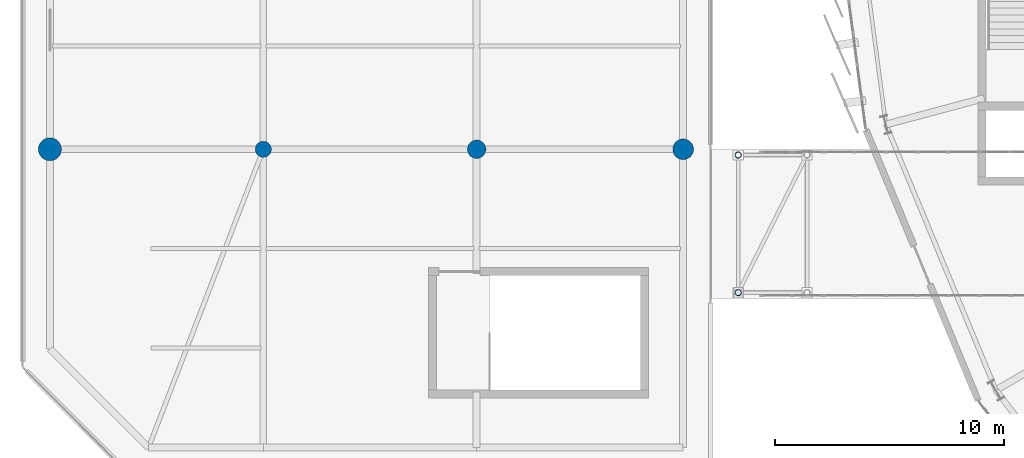
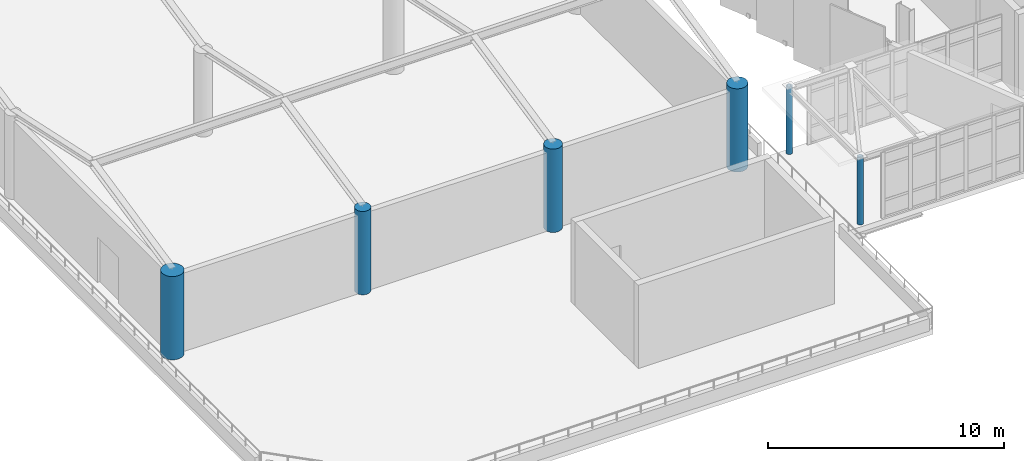
# One storey, part 2 of 120: 6 columns.
"""IFC4 building model written with IfcOpenShell, lengths in metres."""

from ifc_helpers import new_model, si_unit, direction, frame, origin, origin_2d, place, context, subcontext, project, spatial, circle, hollow_circle, extrude, material, material_profile, profile_set, type_object, element, save


model = new_model("IFC4")

# Units and contexts
model_context = context("Model", 3, precision=1e-05, world=origin(), true_north=direction((0.0, 1.0)))
body_context = subcontext(model_context, "Body", "Model", "MODEL_VIEW")
ifc_project = project(units=[si_unit("LENGTHUNIT", "METRE"), si_unit("AREAUNIT", "SQUARE_METRE"), si_unit("VOLUMEUNIT", "CUBIC_METRE"), si_unit("PLANEANGLEUNIT", "RADIAN"), si_unit("MASSUNIT", "GRAM", prefix="KILO")], contexts=[model_context])

# Site, building, storey
site_placement = place(None, origin())
site = spatial("IfcSite", under=ifc_project, at=site_placement, CompositionType="ELEMENT")
building_placement = place(site_placement, origin())
building = spatial("IfcBuilding", under=site, at=building_placement, Name="Sohan Crest Arena", CompositionType="ELEMENT")
storey_placement = place(building_placement, frame((0.0, 0.0, 13.5)))
storey = spatial("IfcBuildingStorey", under=building, at=storey_placement, Name="L03", CompositionType="ELEMENT", Elevation=13.5)

# Columns
ifc_material_1 = material(Name="Concrete C40/50", Category="concrete")
ifc_material_profile_1 = material_profile(ifc_material_1, circle(Radius=0.35009765625, at=origin_2d()), Name="RC D700")
ifc_profile_set_1 = profile_set([ifc_material_profile_1], Name="Concrete C40/50")
column_type_1 = type_object("IfcColumnType", Name="STR-COL-C13", PredefinedType="COLUMN", material=ifc_profile_set_1)
column_1_placement = place(storey_placement, frame((24.5, 64.5, 0.0), z_axis=(0.0, 0.0, 1.0), x_axis=(1.0, 0.0, 0.0)))
element("IfcColumn", 1, at=column_1_placement, inside=storey, type_object=column_type_1, Name="Structural column COL-V3C-22-L03", PredefinedType="COLUMN", context=body_context, shape_type="SweptSolid", body=[
    extrude(circle(Radius=0.35009765625, at=origin_2d()), origin(), (0.0, 0.0, 1.0), 4.304931640625),
])
ifc_material_profile_2 = material_profile(ifc_material_1, circle(Radius=0.39990234375, at=origin_2d()), Name="RC D800")
ifc_profile_set_2 = profile_set([ifc_material_profile_2], Name="Concrete C40/50")
column_type_2 = type_object("IfcColumnType", Name="STR-COL-C14", PredefinedType="COLUMN", material=ifc_profile_set_2)
column_2_placement = place(storey_placement, frame((33.800048828125, 64.5, 0.0), z_axis=(0.0, 0.0, 1.0), x_axis=(1.0, 0.0, 0.0)))
element("IfcColumn", 2, at=column_2_placement, inside=storey, type_object=column_type_2, Name="Structural column COL-V3C-32-L03", PredefinedType="COLUMN", context=body_context, shape_type="SweptSolid", body=[
    extrude(circle(Radius=0.39990234375, at=origin_2d()), origin(), (0.0, 0.0, 1.0), 4.304931640625),
])
ifc_material_profile_3 = material_profile(ifc_material_1, circle(Radius=0.449951171875, at=origin_2d()), Name="RC D900")
ifc_profile_set_3 = profile_set([ifc_material_profile_3], Name="Concrete C40/50")
column_type_3 = type_object("IfcColumnType", Name="STR-COL-C15", PredefinedType="COLUMN", material=ifc_profile_set_3)
column_3_placement = place(storey_placement, frame((42.800048828125, 64.5, 0.0), z_axis=(0.0, 0.0, 1.0), x_axis=(1.0, 0.0, 0.0)))
element("IfcColumn", 3, at=column_3_placement, inside=storey, type_object=column_type_3, Name="Structural column COL-V3C-42-L03", PredefinedType="COLUMN", context=body_context, shape_type="SweptSolid", body=[
    extrude(circle(Radius=0.449951171875, at=origin_2d()), origin(), (0.0, 0.0, 1.0), 4.304931640625),
])
ifc_material_profile_4 = material_profile(ifc_material_1, circle(Radius=0.5, at=origin_2d()), Name="RC D1000")
ifc_profile_set_4 = profile_set([ifc_material_profile_4], Name="Concrete C40/50")
column_type_4 = type_object("IfcColumnType", Name="STR-COL-C16", PredefinedType="COLUMN", material=ifc_profile_set_4)
column_4_placement = place(storey_placement, frame((15.199951171875, 64.5, 0.0), z_axis=(0.0, 0.0, 1.0), x_axis=(1.0, 0.0, 0.0)))
element("IfcColumn", 4, at=column_4_placement, inside=storey, type_object=column_type_4, Name="Structural column COL-V3C-12-L03", PredefinedType="COLUMN", context=body_context, shape_type="SweptSolid", body=[
    extrude(circle(Radius=0.5, at=origin_2d()), origin(), (0.0, 0.0, 1.0), 4.304931640625),
])
ifc_material_2 = material(Name="Steel S355", Category="steel")
ifc_material_profile_5 = material_profile(ifc_material_2, hollow_circle(Radius=0.136474609375, WallThickness=0.012451171875, at=origin_2d()), Name="CHS 273x12.5")
ifc_profile_set_5 = profile_set([ifc_material_profile_5], Name="Steel S355")
column_type_5 = type_object("IfcColumnType", Name="STR-COL-C25", PredefinedType="COLUMN", material=ifc_profile_set_5)
for number, where, z_axis, x_axis, name in (
    (5, (45.199951171875, 58.25, 0.0), (0.0, 0.0, 1.0), (1.0, 0.0, 0.0), "Structural column COL-BC-BR-W1-1-L03"),
    (6, (45.199951171875, 64.25, 0.0), (0.0, 0.0, 1.0), (1.0, 0.0, 0.0), "Structural column COL-BC-BR-W1-3-L03"),
):
    element("IfcColumn", number, at=place(storey_placement, frame(where, z_axis=z_axis, x_axis=x_axis)), inside=storey, type_object=column_type_5, Name=name, PredefinedType="COLUMN", context=body_context, shape_type="SweptSolid", body=[
        extrude(hollow_circle(Radius=0.136474609375, WallThickness=0.012451171875, at=origin_2d()), origin(), (0.0, 0.0, 1.0), 3.47509765625),
    ])

save(model, "model.ifc")
